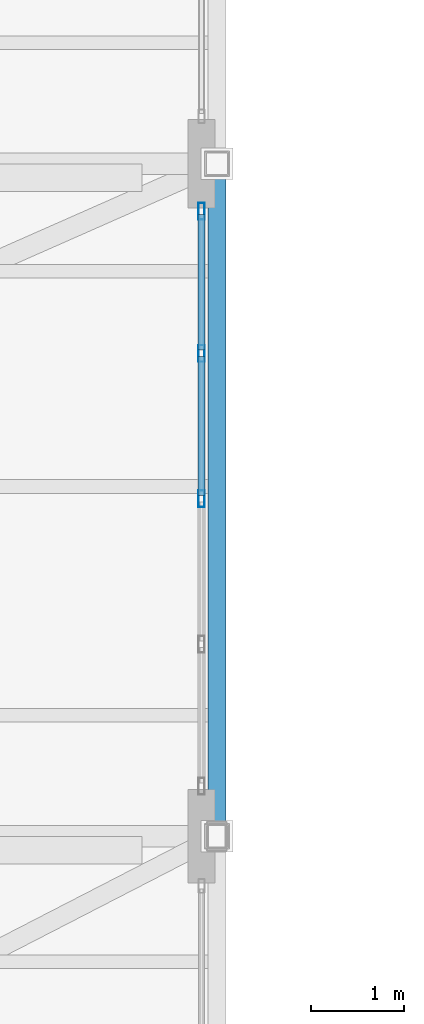
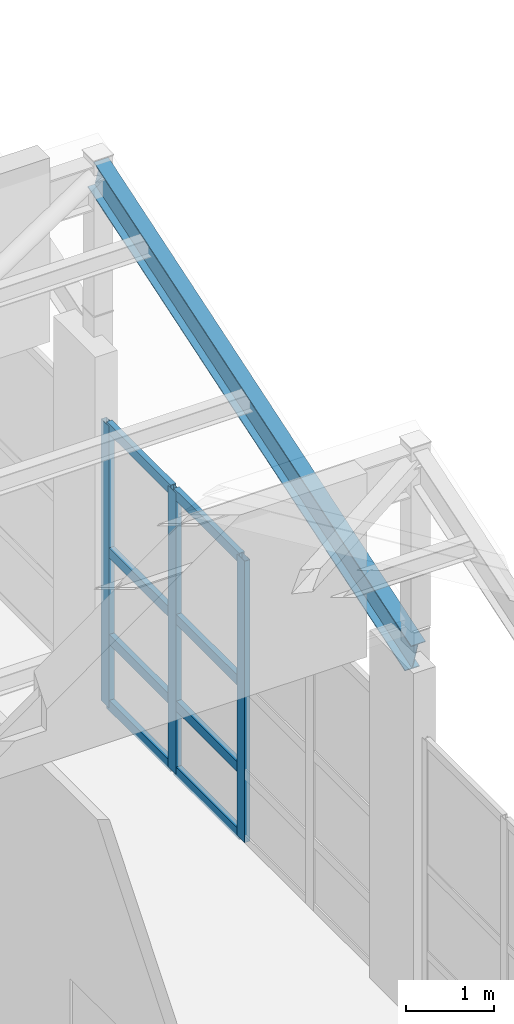
# One storey, part 16 of 34: 11 members, 1 beam, 1 element without a shape of its own.
"""IFC4 building model written with IfcOpenShell, lengths in metres."""

from ifc_helpers import new_model, si_unit, direction, frame, origin, origin_2d, place, context, subcontext, project, spatial, hollow_rectangle, i_section, extrude, material, layer, layer_set, material_profile, profile_set, type_object, element, aggregate, save


model = new_model("IFC4")

# Units and contexts
model_context = context("Model", 3, precision=1e-05, world=origin(), true_north=direction((0.0, 1.0)))
body_context = subcontext(model_context, "Body", "Model", "MODEL_VIEW")
ifc_project = project(units=[si_unit("LENGTHUNIT", "METRE"), si_unit("AREAUNIT", "SQUARE_METRE"), si_unit("VOLUMEUNIT", "CUBIC_METRE"), si_unit("PLANEANGLEUNIT", "RADIAN"), si_unit("MASSUNIT", "GRAM", prefix="KILO")], contexts=[model_context])

# Site, building, storey
site_placement = place(None, origin())
site = spatial("IfcSite", under=ifc_project, at=site_placement, CompositionType="ELEMENT")
building_placement = place(site_placement, origin())
building = spatial("IfcBuilding", under=site, at=building_placement, Name="Quendrovan Civic Courthouse", CompositionType="ELEMENT")
storey_placement = place(building_placement, frame((0.0, 0.0, 25.5)))
storey = spatial("IfcBuildingStorey", under=building, at=storey_placement, Name="L06", CompositionType="ELEMENT", Elevation=25.5)

# Beam
ifc_material_1 = material(Name="Steel ASTM A992 Grade 50", Category="steel")
ifc_material_profile_1 = material_profile(ifc_material_1, i_section(OverallWidth=0.18994140625, OverallDepth=0.45703125, WebThickness=0.009033203125, FlangeThickness=0.014404296875, at=origin_2d()), Name="W460x74")
ifc_profile_set_1 = profile_set([ifc_material_profile_1], Name="Steel ASTM A992 Grade 50")
beam_type = type_object("IfcBeamType", Name="BM-STL-W460", PredefinedType="BEAM", material=ifc_profile_set_1)
beam_placement = place(storey_placement, frame((16.800048828125, 73.199951171875, 4.651611328125), z_axis=(0.0, 0.951058475916, 0.309010963217), x_axis=(-1.0, 0.0, 0.0)))
element("IfcBeam", 1, at=beam_placement, inside=storey, type_object=beam_type, Name="Sawtooth Raking Steel Rafter B7-E", PredefinedType="BEAM", context=body_context, shape_type="SweptSolid", body=[
    extrude(i_section(OverallWidth=0.18994140625, OverallDepth=0.45703125, WebThickness=0.009033203125, FlangeThickness=0.014404296875, at=origin_2d()), origin(), (0.0, 0.0, 1.0), 7.570556640625),
])

# Curtain wall, members
ifc_material_2 = material(Name="Bronze anodised aluminium and low-E glass", Category="aluminium")
ifc_layer = layer(ifc_material_2, 0.179931640625, Name="Bronze anodised aluminium and low-E glass")
ifc_layer_set = layer_set([ifc_layer], Name="Bronze anodised aluminium and low-E glass")
curtain_wall_type = type_object("IfcCurtainWallType", Name="CW-U62x39", PredefinedType="USERDEFINED", material=ifc_layer_set)
curtain_wall_placement = place(storey_placement, origin())
curtain_wall = element("IfcCurtainWall", 2, at=curtain_wall_placement, inside=storey, type_object=curtain_wall_type, Name="L06 Unitised Hurricane Curtain Wall CW-208", ObjectType="UNITISED CURTAIN WALL", PredefinedType="USERDEFINED")
ifc_material_3 = material(Name="Bronze anodised aluminium", Category="aluminium")
ifc_material_profile_2 = material_profile(ifc_material_3, hollow_rectangle(XDim=0.070068359375, YDim=0.179931640625, WallThickness=0.00390625, at=origin_2d()), Name="CW-MULL-70x180")
ifc_profile_set_2 = profile_set([ifc_material_profile_2], Name="Bronze anodised aluminium")
member_type_1 = type_object("IfcMemberType", Name="CW-MULL-A", PredefinedType="MULLION", material=ifc_profile_set_2)
member_1_placement = place(storey_placement, frame((16.635009765625, 79.889892578125, 0.0), z_axis=(0.0, 0.0, 1.0), x_axis=(1.0, 0.0, 0.0)))
member_1 = element("IfcMember", 3, at=member_1_placement, type_object=member_type_1, Name="CW-208 mullion 1", PredefinedType="MULLION", context=body_context, shape_type="SweptSolid", body=[
    extrude(hollow_rectangle(XDim=0.070068359375, YDim=0.179931640625, WallThickness=0.00390625, at=origin_2d()), origin(), (0.0, 0.0, 1.0), 3.89990234375),
])
member_2_placement = place(storey_placement, frame((16.635009765625, 78.36865234375, 0.0), z_axis=(0.0, 0.0, 1.0), x_axis=(1.0, 0.0, 0.0)))
member_2 = element("IfcMember", 4, at=member_2_placement, type_object=member_type_1, Name="CW-208 mullion 2", PredefinedType="MULLION", context=body_context, shape_type="SweptSolid", body=[
    extrude(hollow_rectangle(XDim=0.070068359375, YDim=0.179931640625, WallThickness=0.00390625, at=origin_2d()), origin(), (0.0, 0.0, 1.0), 3.89990234375),
])
member_3_placement = place(storey_placement, frame((16.635009765625, 76.8125, 0.0), z_axis=(0.0, 0.0, 1.0), x_axis=(1.0, 0.0, 0.0)))
member_3 = element("IfcMember", 5, at=member_3_placement, type_object=member_type_1, Name="CW-208 mullion 3", PredefinedType="MULLION", context=body_context, shape_type="SweptSolid", body=[
    extrude(hollow_rectangle(XDim=0.070068359375, YDim=0.179931640625, WallThickness=0.00390625, at=origin_2d()), origin(), (0.0, 0.0, 1.0), 3.89990234375),
])
ifc_material_profile_3 = material_profile(ifc_material_3, hollow_rectangle(XDim=0.070068359375, YDim=0.139892578125, WallThickness=0.00390625, at=origin_2d()), Name="CW-TRAN-70x140")
ifc_profile_set_3 = profile_set([ifc_material_profile_3], Name="Bronze anodised aluminium")
member_type_2 = type_object("IfcMemberType", Name="CW-TRAN-A", PredefinedType="USERDEFINED", material=ifc_profile_set_3)
member_4_placement = place(storey_placement, frame((16.635009765625, 79.85498046875, 0.034912109375), z_axis=(0.0, -1.0, 0.0), x_axis=(1.0, 0.0, 0.0)))
member_4 = element("IfcMember", 6, at=member_4_placement, type_object=member_type_2, Name="CW-208 transom 1.1", ObjectType="TRANSOM", PredefinedType="USERDEFINED", context=body_context, shape_type="SweptSolid", body=[
    extrude(hollow_rectangle(XDim=0.070068359375, YDim=0.139892578125, WallThickness=0.00390625, at=origin_2d()), origin(), (0.0, 0.0, 1.0), 1.451171875),
])
member_5_placement = place(storey_placement, frame((16.635009765625, 79.85498046875, 0.949951171875), z_axis=(0.0, -1.0, 0.0), x_axis=(1.0, 0.0, 0.0)))
member_5 = element("IfcMember", 7, at=member_5_placement, type_object=member_type_2, Name="CW-208 transom 1.2", ObjectType="TRANSOM", PredefinedType="USERDEFINED", context=body_context, shape_type="SweptSolid", body=[
    extrude(hollow_rectangle(XDim=0.070068359375, YDim=0.139892578125, WallThickness=0.00390625, at=origin_2d()), origin(), (0.0, 0.0, 1.0), 1.451171875),
])
member_6_placement = place(storey_placement, frame((16.635009765625, 79.85498046875, 2.14990234375), z_axis=(0.0, -1.0, 0.0), x_axis=(1.0, 0.0, 0.0)))
member_6 = element("IfcMember", 8, at=member_6_placement, type_object=member_type_2, Name="CW-208 transom 1.3", ObjectType="TRANSOM", PredefinedType="USERDEFINED", context=body_context, shape_type="SweptSolid", body=[
    extrude(hollow_rectangle(XDim=0.070068359375, YDim=0.139892578125, WallThickness=0.00390625, at=origin_2d()), origin(), (0.0, 0.0, 1.0), 1.451171875),
])
member_7_placement = place(storey_placement, frame((16.635009765625, 79.85498046875, 3.864990234375), z_axis=(0.0, -1.0, 0.0), x_axis=(1.0, 0.0, 0.0)))
member_7 = element("IfcMember", 9, at=member_7_placement, type_object=member_type_2, Name="CW-208 transom 1.4", ObjectType="TRANSOM", PredefinedType="USERDEFINED", context=body_context, shape_type="SweptSolid", body=[
    extrude(hollow_rectangle(XDim=0.070068359375, YDim=0.139892578125, WallThickness=0.00390625, at=origin_2d()), origin(), (0.0, 0.0, 1.0), 1.451171875),
])
member_8_placement = place(storey_placement, frame((16.635009765625, 78.333740234375, 0.034912109375), z_axis=(0.0, -1.0, 0.0), x_axis=(1.0, 0.0, 0.0)))
member_8 = element("IfcMember", 10, at=member_8_placement, type_object=member_type_2, Name="CW-208 transom 2.1", ObjectType="TRANSOM", PredefinedType="USERDEFINED", context=body_context, shape_type="SweptSolid", body=[
    extrude(hollow_rectangle(XDim=0.070068359375, YDim=0.139892578125, WallThickness=0.00390625, at=origin_2d()), origin(), (0.0, 0.0, 1.0), 1.486328125),
])
member_9_placement = place(storey_placement, frame((16.635009765625, 78.333740234375, 0.949951171875), z_axis=(0.0, -1.0, 0.0), x_axis=(1.0, 0.0, 0.0)))
member_9 = element("IfcMember", 11, at=member_9_placement, type_object=member_type_2, Name="CW-208 transom 2.2", ObjectType="TRANSOM", PredefinedType="USERDEFINED", context=body_context, shape_type="SweptSolid", body=[
    extrude(hollow_rectangle(XDim=0.070068359375, YDim=0.139892578125, WallThickness=0.00390625, at=origin_2d()), origin(), (0.0, 0.0, 1.0), 1.486328125),
])
member_10_placement = place(storey_placement, frame((16.635009765625, 78.333740234375, 2.14990234375), z_axis=(0.0, -1.0, 0.0), x_axis=(1.0, 0.0, 0.0)))
member_10 = element("IfcMember", 12, at=member_10_placement, type_object=member_type_2, Name="CW-208 transom 2.3", ObjectType="TRANSOM", PredefinedType="USERDEFINED", context=body_context, shape_type="SweptSolid", body=[
    extrude(hollow_rectangle(XDim=0.070068359375, YDim=0.139892578125, WallThickness=0.00390625, at=origin_2d()), origin(), (0.0, 0.0, 1.0), 1.486328125),
])
member_11_placement = place(storey_placement, frame((16.635009765625, 78.333740234375, 3.864990234375), z_axis=(0.0, -1.0, 0.0), x_axis=(1.0, 0.0, 0.0)))
member_11 = element("IfcMember", 13, at=member_11_placement, type_object=member_type_2, Name="CW-208 transom 2.4", ObjectType="TRANSOM", PredefinedType="USERDEFINED", context=body_context, shape_type="SweptSolid", body=[
    extrude(hollow_rectangle(XDim=0.070068359375, YDim=0.139892578125, WallThickness=0.00390625, at=origin_2d()), origin(), (0.0, 0.0, 1.0), 1.486328125),
])
aggregate(curtain_wall, [member_1, member_2, member_3, member_4, member_5, member_6, member_7, member_8, member_9, member_10, member_11])

save(model, "model.ifc")
